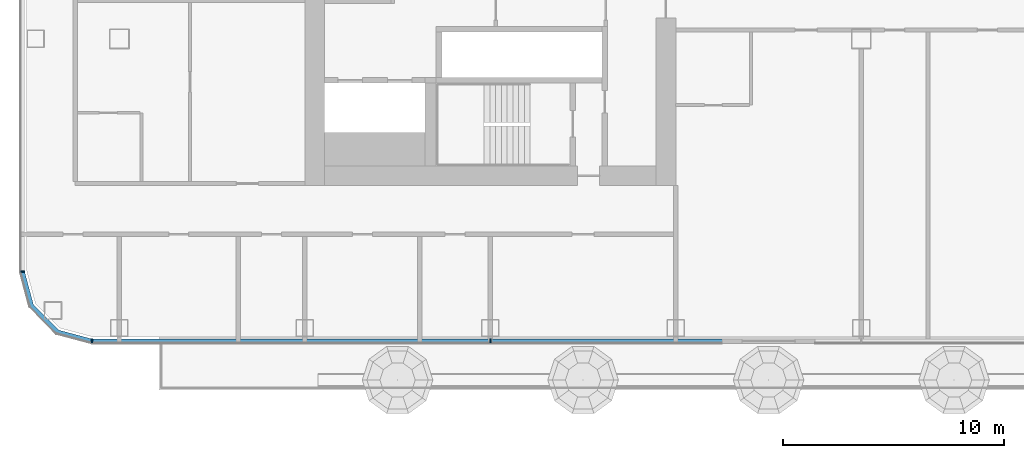
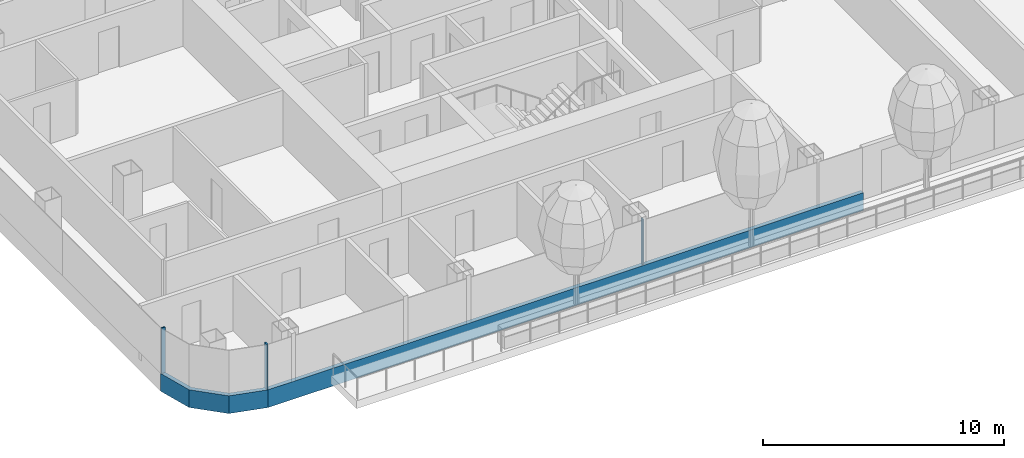
# One storey, part 2 of 34: 5 members, 3 elements without a shape of their own.
"""IFC4 building model written with IfcOpenShell, lengths in metres."""

from ifc_helpers import new_model, si_unit, direction, frame, origin, origin_2d, place, context, subcontext, project, spatial, polyline, rectangle, outline, extrude, material, layer, layer_set, material_profile, profile_set, type_object, element, aggregate, save


model = new_model("IFC4")

# Units and contexts
model_context = context("Model", 3, precision=1e-05, world=origin(), true_north=direction((0.0, 1.0)))
body_context = subcontext(model_context, "Body", "Model", "MODEL_VIEW")
ifc_project = project(units=[si_unit("LENGTHUNIT", "METRE"), si_unit("AREAUNIT", "SQUARE_METRE"), si_unit("VOLUMEUNIT", "CUBIC_METRE"), si_unit("PLANEANGLEUNIT", "RADIAN"), si_unit("MASSUNIT", "GRAM", prefix="KILO")], contexts=[model_context])

# Site, building, storey
site_placement = place(None, origin())
site = spatial("IfcSite", under=ifc_project, at=site_placement, CompositionType="ELEMENT")
building_placement = place(site_placement, origin())
building = spatial("IfcBuilding", under=site, at=building_placement, Name="Hakoniwa Tower and Hamabe Station Hall", CompositionType="ELEMENT")
storey_placement = place(building_placement, frame((0.0, 0.0, 107.39990234375)))
storey = spatial("IfcBuildingStorey", under=building, at=storey_placement, Name="L30", CompositionType="ELEMENT", Elevation=107.39990234375)

# Curtain wall, member
ifc_material_1 = material(Name="Dark low-e laminated glass", Category="glass")
ifc_layer = layer(ifc_material_1, 0.199951171875)
ifc_layer_set = layer_set([ifc_layer], Name="CW-1 UNITISED GUEST")
curtain_wall_type = type_object("IfcCurtainWallType", Name="CW-1 UNITISED GUEST", PredefinedType="NOTDEFINED", material=ifc_layer_set)
curtain_wall_1_placement = place(storey_placement, origin())
curtain_wall_1 = element("IfcCurtainWall", 1, at=curtain_wall_1_placement, inside=storey, type_object=curtain_wall_type, Name="CW-1 curtain wall", PredefinedType="NOTDEFINED")
ifc_material_2 = material(Name="Aluminium 6063-T5 black anodised", Category="aluminium")
ifc_material_profile_1 = material_profile(ifc_material_2, rectangle(XDim=0.199951171875, YDim=0.89990234375, at=origin_2d()), Name="CW SLAB-EDGE BAND 900X200")
ifc_profile_set_1 = profile_set([ifc_material_profile_1], Name="Aluminium 6063-T5 black anodised")
member_type_1 = type_object("IfcMemberType", Name="CW SLAB-EDGE BAND 900X200", PredefinedType="USERDEFINED", material=ifc_profile_set_1)
member_1_placement = place(storey_placement, frame((0.0, 0.0, -0.5498046875)))
member_1 = element("IfcMember", 2, at=member_1_placement, type_object=member_type_1, Name="CW-1 transom", ObjectType="TRANSOM", PredefinedType="USERDEFINED", context=body_context, shape_type="SweptSolid", body=[
    extrude(outline(polyline([(-46.5, -12.28955078125), (-46.067138671875, -13.9052734375), (-44.855224609375, -15.116943359375), (-43.239501953125, -15.550048828125), (-43.187744140625, -15.35693359375), (-44.751708984375, -14.937744140625), (-45.8876953125, -13.8017578125), (-46.306884765625, -12.23779296875), (-46.5, -12.28955078125)])), origin(), (0.0, 0.0, 1.0), 0.89990234375),
])
aggregate(curtain_wall_1, [member_1])

curtain_wall_2_placement = place(storey_placement, origin())
curtain_wall_2 = element("IfcCurtainWall", 3, at=curtain_wall_2_placement, inside=storey, type_object=curtain_wall_type, Name="CW-1 curtain wall", PredefinedType="NOTDEFINED")
member_2_placement = place(storey_placement, frame((-43.239501953125, -15.449951171875, -0.099853515625), z_axis=(1.0, 0.0, 0.0), x_axis=(0.0, 1.0, 0.0)))
member_2 = element("IfcMember", 4, at=member_2_placement, type_object=member_type_1, Name="CW-1 transom", ObjectType="TRANSOM", PredefinedType="USERDEFINED", context=body_context, shape_type="SweptSolid", body=[
    extrude(rectangle(XDim=0.199951171875, YDim=0.89990234375, at=origin_2d()), origin(), (0.0, 0.0, 1.0), 28.569580078125),
])

curtain_wall_3_placement = place(storey_placement, origin())
curtain_wall_3 = element("IfcCurtainWall", 5, at=curtain_wall_3_placement, inside=storey, type_object=curtain_wall_type, Name="CW-1 curtain wall", PredefinedType="NOTDEFINED")
ifc_material_3 = material(Name="Aluminium 6063-T5 black anodised", Category="aluminium")
ifc_material_profile_2 = material_profile(ifc_material_3, rectangle(XDim=0.06005859375, YDim=0.179931640625, at=origin_2d()), Name="CW-1 MULLION 60X180")
ifc_profile_set_2 = profile_set([ifc_material_profile_2], Name="Aluminium 6063-T5 black anodised")
member_type_2 = type_object("IfcMemberType", Name="CW-1 MULLION 60X180", PredefinedType="MULLION", material=ifc_profile_set_2)
member_3_placement = place(storey_placement, frame((-46.382080078125, -12.28955078125, 0.35009765625), z_axis=(0.0, 0.0, 1.0), x_axis=(0.0, -1.0, 0.0)))
member_3 = element("IfcMember", 6, at=member_3_placement, type_object=member_type_2, Name="CW-1 mullion", PredefinedType="MULLION", context=body_context, shape_type="SweptSolid", body=[
    extrude(rectangle(XDim=0.06005859375, YDim=0.179931640625, at=origin_2d()), origin(), (0.0, 0.0, 1.0), 2.300048828125),
])
aggregate(curtain_wall_3, [member_3])

# Member
member_4_placement = place(storey_placement, frame((-43.239501953125, -15.431884765625, 0.35009765625), z_axis=(0.0, 0.0, 1.0), x_axis=(1.0, 0.0, 0.0)))
member_4 = element("IfcMember", 7, at=member_4_placement, type_object=member_type_2, Name="CW-1 mullion", PredefinedType="MULLION", context=body_context, shape_type="SweptSolid", body=[
    extrude(rectangle(XDim=0.06005859375, YDim=0.179931640625, at=origin_2d()), origin(), (0.0, 0.0, 1.0), 2.300048828125),
])

member_5_placement = place(storey_placement, frame((-25.199951171875, -15.431884765625, 0.35009765625), z_axis=(0.0, 0.0, 1.0), x_axis=(1.0, 0.0, 0.0)))
member_5 = element("IfcMember", 8, at=member_5_placement, type_object=member_type_2, Name="CW-1 mullion", PredefinedType="MULLION", context=body_context, shape_type="SweptSolid", body=[
    extrude(rectangle(XDim=0.06005859375, YDim=0.179931640625, at=origin_2d()), origin(), (0.0, 0.0, 1.0), 2.300048828125),
])

aggregate(curtain_wall_2, [member_4, member_5, member_2])

save(model, "model.ifc")
